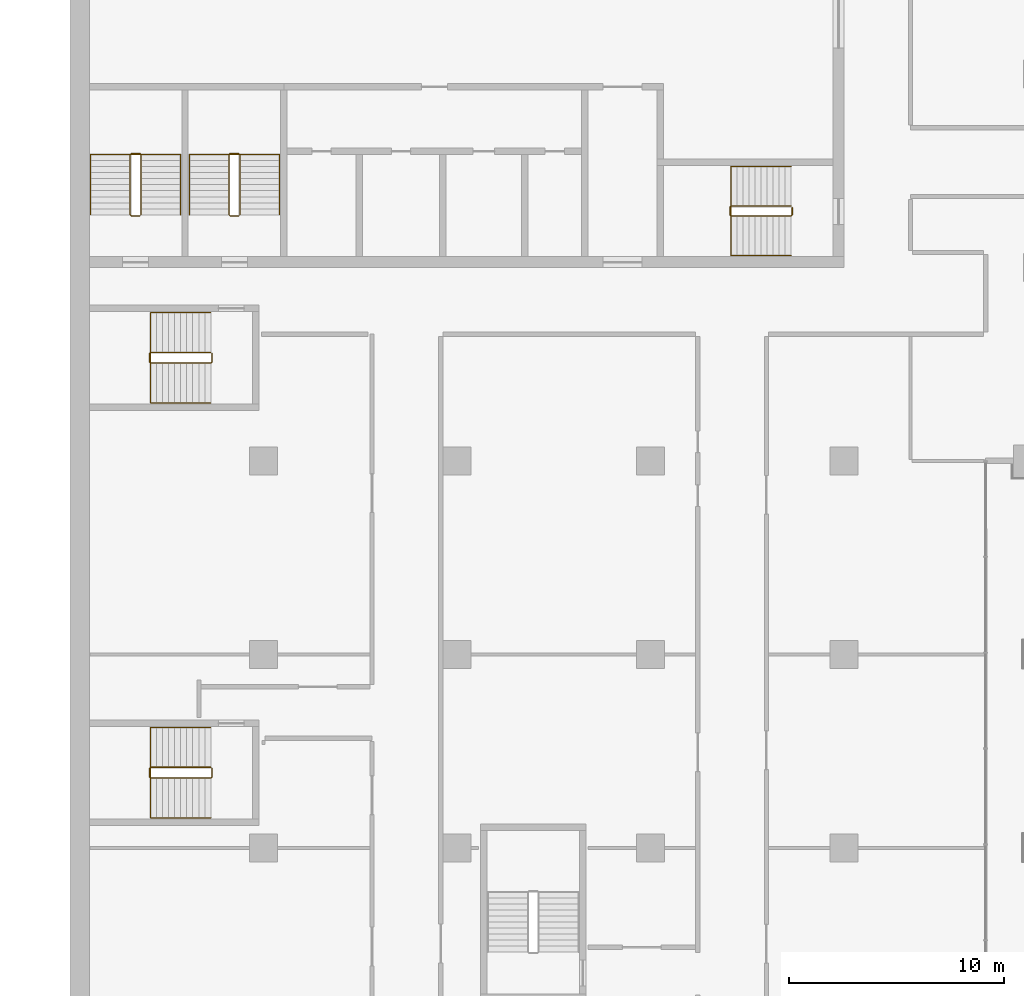
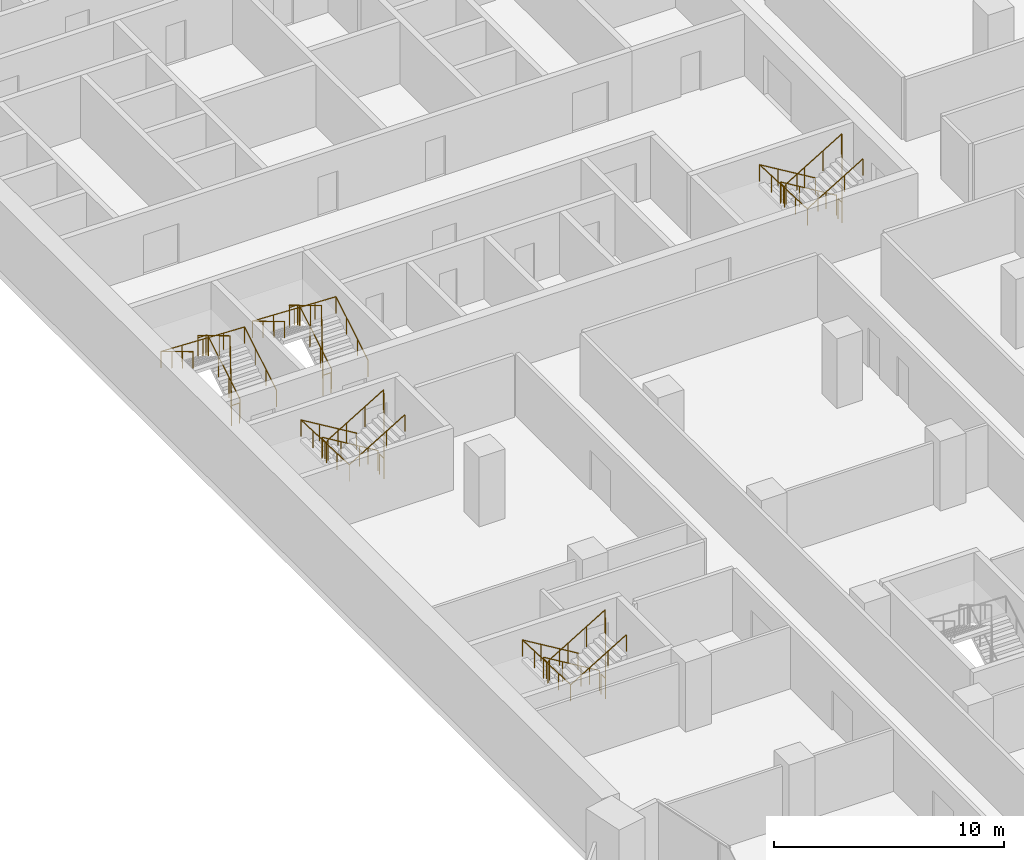
# One storey, part 20 of 22: 10 railings.
"""IFC4 building model written with IfcOpenShell, lengths in metres."""

from ifc_helpers import new_model, si_unit, direction, frame, origin, origin_2d, place, context, subcontext, project, spatial, circle, extrude, material, type_object, element, save


model = new_model("IFC4")

# Units and contexts
model_context = context("Model", 3, precision=1e-05, world=origin(), true_north=direction((0.0, 1.0)))
body_context = subcontext(model_context, "Body", "Model", "MODEL_VIEW")
ifc_project = project(units=[si_unit("LENGTHUNIT", "METRE"), si_unit("AREAUNIT", "SQUARE_METRE"), si_unit("VOLUMEUNIT", "CUBIC_METRE"), si_unit("PLANEANGLEUNIT", "RADIAN"), si_unit("MASSUNIT", "GRAM", prefix="KILO")], contexts=[model_context])

# Site, building, storey
site_placement = place(None, origin())
site = spatial("IfcSite", under=ifc_project, at=site_placement, CompositionType="ELEMENT")
building_placement = place(site_placement, origin())
building = spatial("IfcBuilding", under=site, at=building_placement, Name="Hunhe Ridgeline Campus", CompositionType="ELEMENT")
storey_placement = place(building_placement, frame((0.0, 0.0, 114.39990234375)))
storey = spatial("IfcBuildingStorey", under=building, at=storey_placement, Name="L28", CompositionType="ELEMENT", Elevation=114.39990234375)

# Railings
ifc_material_1 = material(Name="Stainless steel balustrade", Category="steel")
railing_type_1 = type_object("IfcRailingType", Name="Stair guard 1100 stainless", PredefinedType="GUARDRAIL", material=ifc_material_1)
railing_1_placement = place(storey_placement, frame((33.550048828125, 65.85009765625, 0.168212890625)))
element("IfcRailing", 1, at=railing_1_placement, inside=storey, type_object=railing_type_1, Name="L28 stair S2 guard", PredefinedType="GUARDRAIL", context=body_context, shape_type="SweptSolid", body=[
    extrude(circle(Radius=0.02392578125, at=origin_2d()), frame((0.0, 0.0, 1.076171875), z_axis=(-0.857242210791, 0.0, 0.514913383045), x_axis=(0.0, -1.0, 0.0)), (0.0, 0.0, 1.0), 3.266357421875),
    extrude(circle(Radius=0.02392578125, at=origin_2d()), frame((-2.800048828125, 0.0, 2.7578125), z_axis=(-0.707106781187, -0.707106781187, 0.0), x_axis=(0.707106781187, -0.707106781187, 0.0)), (0.0, 0.0, 1.0), 0.07080078125),
    extrude(circle(Radius=0.02392578125, at=origin_2d()), frame((-2.85009765625, -0.050048828125, 2.7578125), z_axis=(0.0, -1.0, 0.0), x_axis=(1.0, 0.0, 0.0)), (0.0, 0.0, 1.0), 0.35009765625),
    extrude(circle(Radius=0.02392578125, at=origin_2d()), frame((-2.85009765625, -0.400146484375, 2.7578125), z_axis=(0.274243871929, -0.274243871929, 0.92172696468), x_axis=(0.707106781187, 0.707106781187, 0.0)), (0.0, 0.0, 1.0), 0.1826171875),
    extrude(circle(Radius=0.02392578125, at=origin_2d()), frame((-2.800048828125, -0.4501953125, 2.92626953125), z_axis=(0.857242210791, 0.0, 0.514913383045), x_axis=(0.0, 1.0, 0.0)), (0.0, 0.0, 1.0), 3.266357421875),
    extrude(circle(Radius=0.02392578125, at=origin_2d()), frame((0.0, -0.4501953125, 4.60791015625), z_axis=(0.013523522368, 0.013523522368, -0.999817097616), x_axis=(-0.707106781187, 0.707106781187, 0.0)), (0.0, 0.0, 1.0), 3.700927734375),
    extrude(circle(Radius=0.02392578125, at=origin_2d()), frame((0.050048828125, -0.400146484375, 0.90771484375), z_axis=(0.0, 1.0, 0.0), x_axis=(-1.0, 0.0, 0.0)), (0.0, 0.0, 1.0), 0.35009765625),
    extrude(circle(Radius=0.02099609375, at=origin_2d()), origin(), (0.0, 0.0, 1.0), 1.052001953125),
    extrude(circle(Radius=0.02099609375, at=origin_2d()), frame((-0.933349609375, 0.0, 0.560546875)), (0.0, 0.0, 1.0), 1.052001953125),
    extrude(circle(Radius=0.02099609375, at=origin_2d()), frame((-1.86669921875, 0.0, 1.121337890625)), (0.0, 0.0, 1.0), 1.052001953125),
    extrude(circle(Radius=0.02099609375, at=origin_2d()), frame((-2.800048828125, 0.0, 1.681884765625)), (0.0, 0.0, 1.0), 1.052001953125),
    extrude(circle(Radius=0.02099609375, at=origin_2d()), frame((-2.85009765625, -0.050048828125, 1.681884765625)), (0.0, 0.0, 1.0), 1.052001953125),
    extrude(circle(Radius=0.02099609375, at=origin_2d()), frame((-2.85009765625, -0.400146484375, 1.681884765625)), (0.0, 0.0, 1.0), 1.052001953125),
    extrude(circle(Radius=0.02099609375, at=origin_2d()), frame((-2.800048828125, -0.4501953125, 1.85009765625)), (0.0, 0.0, 1.0), 1.052001953125),
    extrude(circle(Radius=0.02099609375, at=origin_2d()), frame((-1.86669921875, -0.4501953125, 2.41064453125)), (0.0, 0.0, 1.0), 1.052001953125),
    extrude(circle(Radius=0.02099609375, at=origin_2d()), frame((-0.933349609375, -0.4501953125, 2.971435546875)), (0.0, 0.0, 1.0), 1.052001953125),
    extrude(circle(Radius=0.02099609375, at=origin_2d()), frame((0.0, -0.4501953125, 3.531982421875)), (0.0, 0.0, 1.0), 1.052001953125),
    extrude(circle(Radius=0.02099609375, at=origin_2d()), frame((0.012451171875, -0.437744140625, 2.60693359375)), (0.0, 0.0, 1.0), 1.052001953125),
    extrude(circle(Radius=0.02099609375, at=origin_2d()), frame((0.02490234375, -0.42529296875, 1.681884765625)), (0.0, 0.0, 1.0), 1.052001953125),
    extrude(circle(Radius=0.02099609375, at=origin_2d()), frame((0.03759765625, -0.41259765625, 0.7568359375)), (0.0, 0.0, 1.0), 1.052001953125),
    extrude(circle(Radius=0.02099609375, at=origin_2d()), frame((0.050048828125, -0.400146484375, -0.168212890625)), (0.0, 0.0, 1.0), 1.052001953125),
    extrude(circle(Radius=0.02099609375, at=origin_2d()), frame((0.050048828125, -0.050048828125, -0.168212890625)), (0.0, 0.0, 1.0), 1.052001953125),
])
railing_2_placement = place(storey_placement, frame((3.300048828125, 65.449951171875, 0.168212890625)))
element("IfcRailing", 2, at=railing_2_placement, inside=storey, type_object=railing_type_1, Name="L28 stair S3 guard", PredefinedType="GUARDRAIL", context=body_context, shape_type="SweptSolid", body=[
    extrude(circle(Radius=0.02392578125, at=origin_2d()), frame((0.0, 0.0, 1.076171875), z_axis=(0.0, 0.857242210791, 0.514913383045), x_axis=(-1.0, 0.0, 0.0)), (0.0, 0.0, 1.0), 3.266357421875),
    extrude(circle(Radius=0.02392578125, at=origin_2d()), frame((0.0, 2.800048828125, 2.7578125), z_axis=(-0.707106781187, 0.707106781187, 0.0), x_axis=(-0.707106781187, -0.707106781187, 0.0)), (0.0, 0.0, 1.0), 0.07080078125),
    extrude(circle(Radius=0.02392578125, at=origin_2d()), frame((-0.050048828125, 2.85009765625, 2.7578125), z_axis=(-1.0, 0.0, 0.0), x_axis=(0.0, -1.0, 0.0)), (0.0, 0.0, 1.0), 0.39990234375),
    extrude(circle(Radius=0.02392578125, at=origin_2d()), frame((-0.449951171875, 2.85009765625, 2.7578125), z_axis=(-0.274243871929, -0.274243871929, 0.92172696468), x_axis=(0.707106781187, -0.707106781187, 0.0)), (0.0, 0.0, 1.0), 0.1826171875),
    extrude(circle(Radius=0.02392578125, at=origin_2d()), frame((-0.5, 2.800048828125, 2.92626953125), z_axis=(0.0, -0.857242210791, 0.514913383045), x_axis=(1.0, 0.0, 0.0)), (0.0, 0.0, 1.0), 3.266357421875),
    extrude(circle(Radius=0.02392578125, at=origin_2d()), frame((-0.5, 0.0, 4.60791015625), z_axis=(0.013523522368, -0.013523522368, -0.999817097616), x_axis=(0.707106781187, 0.707106781187, 0.0)), (0.0, 0.0, 1.0), 3.700927734375),
    extrude(circle(Radius=0.02392578125, at=origin_2d()), frame((-0.449951171875, -0.050048828125, 0.90771484375), z_axis=(1.0, 0.0, 0.0), x_axis=(0.0, 1.0, 0.0)), (0.0, 0.0, 1.0), 0.39990234375),
    extrude(circle(Radius=0.02099609375, at=origin_2d()), origin(), (0.0, 0.0, 1.0), 1.052001953125),
    extrude(circle(Radius=0.02099609375, at=origin_2d()), frame((0.0, 0.933349609375, 0.560546875)), (0.0, 0.0, 1.0), 1.052001953125),
    extrude(circle(Radius=0.02099609375, at=origin_2d()), frame((0.0, 1.86669921875, 1.121337890625)), (0.0, 0.0, 1.0), 1.052001953125),
    extrude(circle(Radius=0.02099609375, at=origin_2d()), frame((0.0, 2.800048828125, 1.681884765625)), (0.0, 0.0, 1.0), 1.052001953125),
    extrude(circle(Radius=0.02099609375, at=origin_2d()), frame((-0.050048828125, 2.85009765625, 1.681884765625)), (0.0, 0.0, 1.0), 1.052001953125),
    extrude(circle(Radius=0.02099609375, at=origin_2d()), frame((-0.449951171875, 2.85009765625, 1.681884765625)), (0.0, 0.0, 1.0), 1.052001953125),
    extrude(circle(Radius=0.02099609375, at=origin_2d()), frame((-0.5, 2.800048828125, 1.85009765625)), (0.0, 0.0, 1.0), 1.052001953125),
    extrude(circle(Radius=0.02099609375, at=origin_2d()), frame((-0.5, 1.86669921875, 2.41064453125)), (0.0, 0.0, 1.0), 1.052001953125),
    extrude(circle(Radius=0.02099609375, at=origin_2d()), frame((-0.5, 0.933349609375, 2.971435546875)), (0.0, 0.0, 1.0), 1.052001953125),
    extrude(circle(Radius=0.02099609375, at=origin_2d()), frame((-0.5, 0.0, 3.531982421875)), (0.0, 0.0, 1.0), 1.052001953125),
    extrude(circle(Radius=0.02099609375, at=origin_2d()), frame((-0.487548828125, -0.012451171875, 2.60693359375)), (0.0, 0.0, 1.0), 1.052001953125),
    extrude(circle(Radius=0.02099609375, at=origin_2d()), frame((-0.47509765625, -0.02490234375, 1.681884765625)), (0.0, 0.0, 1.0), 1.052001953125),
    extrude(circle(Radius=0.02099609375, at=origin_2d()), frame((-0.46240234375, -0.03759765625, 0.7568359375)), (0.0, 0.0, 1.0), 1.052001953125),
    extrude(circle(Radius=0.02099609375, at=origin_2d()), frame((-0.449951171875, -0.050048828125, -0.168212890625)), (0.0, 0.0, 1.0), 1.052001953125),
    extrude(circle(Radius=0.02099609375, at=origin_2d()), frame((-0.050048828125, -0.050048828125, -0.168212890625)), (0.0, 0.0, 1.0), 1.052001953125),
])
railing_3_placement = place(storey_placement, frame((7.89990234375, 65.449951171875, 0.168212890625)))
element("IfcRailing", 3, at=railing_3_placement, inside=storey, type_object=railing_type_1, Name="L28 stair S4 guard", PredefinedType="GUARDRAIL", context=body_context, shape_type="SweptSolid", body=[
    extrude(circle(Radius=0.02392578125, at=origin_2d()), frame((0.0, 0.0, 1.076171875), z_axis=(0.0, 0.857242210791, 0.514913383045), x_axis=(-1.0, 0.0, 0.0)), (0.0, 0.0, 1.0), 3.266357421875),
    extrude(circle(Radius=0.02392578125, at=origin_2d()), frame((0.0, 2.800048828125, 2.7578125), z_axis=(-0.705375805398, 0.708833529934, 0.0), x_axis=(-0.708833529934, -0.705375805398, 0.0)), (0.0, 0.0, 1.0), 0.070556640625),
    extrude(circle(Radius=0.02392578125, at=origin_2d()), frame((-0.0498046875, 2.85009765625, 2.7578125), z_axis=(-1.0, 0.0, 0.0), x_axis=(0.0, -1.0, 0.0)), (0.0, 0.0, 1.0), 0.400146484375),
    extrude(circle(Radius=0.02392578125, at=origin_2d()), frame((-0.449951171875, 2.85009765625, 2.7578125), z_axis=(-0.274243871929, -0.274243871929, 0.92172696468), x_axis=(0.707106781187, -0.707106781187, 0.0)), (0.0, 0.0, 1.0), 0.1826171875),
    extrude(circle(Radius=0.02392578125, at=origin_2d()), frame((-0.5, 2.800048828125, 2.92626953125), z_axis=(0.0, -0.857242210791, 0.514913383045), x_axis=(1.0, 0.0, 0.0)), (0.0, 0.0, 1.0), 3.266357421875),
    extrude(circle(Radius=0.02392578125, at=origin_2d()), frame((-0.5, 0.0, 4.60791015625), z_axis=(0.013523522368, -0.013523522368, -0.999817097616), x_axis=(0.707106781187, 0.707106781187, 0.0)), (0.0, 0.0, 1.0), 3.700927734375),
    extrude(circle(Radius=0.02392578125, at=origin_2d()), frame((-0.449951171875, -0.050048828125, 0.90771484375), z_axis=(1.0, 0.0, 0.0), x_axis=(0.0, 1.0, 0.0)), (0.0, 0.0, 1.0), 0.400146484375),
    extrude(circle(Radius=0.02099609375, at=origin_2d()), origin(), (0.0, 0.0, 1.0), 1.052001953125),
    extrude(circle(Radius=0.02099609375, at=origin_2d()), frame((0.0, 0.933349609375, 0.560546875)), (0.0, 0.0, 1.0), 1.052001953125),
    extrude(circle(Radius=0.02099609375, at=origin_2d()), frame((0.0, 1.86669921875, 1.121337890625)), (0.0, 0.0, 1.0), 1.052001953125),
    extrude(circle(Radius=0.02099609375, at=origin_2d()), frame((0.0, 2.800048828125, 1.681884765625)), (0.0, 0.0, 1.0), 1.052001953125),
    extrude(circle(Radius=0.02099609375, at=origin_2d()), frame((-0.0498046875, 2.85009765625, 1.681884765625)), (0.0, 0.0, 1.0), 1.052001953125),
    extrude(circle(Radius=0.02099609375, at=origin_2d()), frame((-0.449951171875, 2.85009765625, 1.681884765625)), (0.0, 0.0, 1.0), 1.052001953125),
    extrude(circle(Radius=0.02099609375, at=origin_2d()), frame((-0.5, 2.800048828125, 1.85009765625)), (0.0, 0.0, 1.0), 1.052001953125),
    extrude(circle(Radius=0.02099609375, at=origin_2d()), frame((-0.5, 1.86669921875, 2.41064453125)), (0.0, 0.0, 1.0), 1.052001953125),
    extrude(circle(Radius=0.02099609375, at=origin_2d()), frame((-0.5, 0.933349609375, 2.971435546875)), (0.0, 0.0, 1.0), 1.052001953125),
    extrude(circle(Radius=0.02099609375, at=origin_2d()), frame((-0.5, 0.0, 3.531982421875)), (0.0, 0.0, 1.0), 1.052001953125),
    extrude(circle(Radius=0.02099609375, at=origin_2d()), frame((-0.487548828125, -0.012451171875, 2.60693359375)), (0.0, 0.0, 1.0), 1.052001953125),
    extrude(circle(Radius=0.02099609375, at=origin_2d()), frame((-0.47509765625, -0.02490234375, 1.681884765625)), (0.0, 0.0, 1.0), 1.052001953125),
    extrude(circle(Radius=0.02099609375, at=origin_2d()), frame((-0.46240234375, -0.03759765625, 0.7568359375)), (0.0, 0.0, 1.0), 1.052001953125),
    extrude(circle(Radius=0.02099609375, at=origin_2d()), frame((-0.449951171875, -0.050048828125, -0.168212890625)), (0.0, 0.0, 1.0), 1.052001953125),
    extrude(circle(Radius=0.02099609375, at=origin_2d()), frame((-0.0498046875, -0.050048828125, -0.168212890625)), (0.0, 0.0, 1.0), 1.052001953125),
])
railing_4_placement = place(storey_placement, frame((6.550048828125, 39.75, 0.168212890625)))
element("IfcRailing", 4, at=railing_4_placement, inside=storey, type_object=railing_type_1, Name="L28 stair W1 guard", PredefinedType="GUARDRAIL", context=body_context, shape_type="SweptSolid", body=[
    extrude(circle(Radius=0.02392578125, at=origin_2d()), frame((0.0, 0.0, 1.076171875), z_axis=(-0.857242210791, 0.0, 0.514913383045), x_axis=(0.0, -1.0, 0.0)), (0.0, 0.0, 1.0), 3.266357421875),
    extrude(circle(Radius=0.02392578125, at=origin_2d()), frame((-2.800048828125, 0.0, 2.7578125), z_axis=(-0.707106781187, -0.707106781187, 0.0), x_axis=(0.707106781187, -0.707106781187, 0.0)), (0.0, 0.0, 1.0), 0.07080078125),
    extrude(circle(Radius=0.02392578125, at=origin_2d()), frame((-2.85009765625, -0.050048828125, 2.7578125), z_axis=(0.0, -1.0, 0.0), x_axis=(1.0, 0.0, 0.0)), (0.0, 0.0, 1.0), 0.39990234375),
    extrude(circle(Radius=0.02392578125, at=origin_2d()), frame((-2.85009765625, -0.449951171875, 2.7578125), z_axis=(0.274243871929, -0.274243871929, 0.92172696468), x_axis=(0.707106781187, 0.707106781187, 0.0)), (0.0, 0.0, 1.0), 0.1826171875),
    extrude(circle(Radius=0.02392578125, at=origin_2d()), frame((-2.800048828125, -0.5, 2.92626953125), z_axis=(0.857242210791, 0.0, 0.514913383045), x_axis=(0.0, 1.0, 0.0)), (0.0, 0.0, 1.0), 3.266357421875),
    extrude(circle(Radius=0.02392578125, at=origin_2d()), frame((0.0, -0.5, 4.60791015625), z_axis=(0.013523522368, 0.013523522368, -0.999817097616), x_axis=(-0.707106781187, 0.707106781187, 0.0)), (0.0, 0.0, 1.0), 3.700927734375),
    extrude(circle(Radius=0.02392578125, at=origin_2d()), frame((0.050048828125, -0.449951171875, 0.90771484375), z_axis=(0.0, 1.0, 0.0), x_axis=(-1.0, 0.0, 0.0)), (0.0, 0.0, 1.0), 0.39990234375),
    extrude(circle(Radius=0.02099609375, at=origin_2d()), origin(), (0.0, 0.0, 1.0), 1.052001953125),
    extrude(circle(Radius=0.02099609375, at=origin_2d()), frame((-0.933349609375, 0.0, 0.560546875)), (0.0, 0.0, 1.0), 1.052001953125),
    extrude(circle(Radius=0.02099609375, at=origin_2d()), frame((-1.86669921875, 0.0, 1.121337890625)), (0.0, 0.0, 1.0), 1.052001953125),
    extrude(circle(Radius=0.02099609375, at=origin_2d()), frame((-2.800048828125, 0.0, 1.681884765625)), (0.0, 0.0, 1.0), 1.052001953125),
    extrude(circle(Radius=0.02099609375, at=origin_2d()), frame((-2.85009765625, -0.050048828125, 1.681884765625)), (0.0, 0.0, 1.0), 1.052001953125),
    extrude(circle(Radius=0.02099609375, at=origin_2d()), frame((-2.85009765625, -0.449951171875, 1.681884765625)), (0.0, 0.0, 1.0), 1.052001953125),
    extrude(circle(Radius=0.02099609375, at=origin_2d()), frame((-2.800048828125, -0.5, 1.85009765625)), (0.0, 0.0, 1.0), 1.052001953125),
    extrude(circle(Radius=0.02099609375, at=origin_2d()), frame((-1.86669921875, -0.5, 2.41064453125)), (0.0, 0.0, 1.0), 1.052001953125),
    extrude(circle(Radius=0.02099609375, at=origin_2d()), frame((-0.933349609375, -0.5, 2.971435546875)), (0.0, 0.0, 1.0), 1.052001953125),
    extrude(circle(Radius=0.02099609375, at=origin_2d()), frame((0.0, -0.5, 3.531982421875)), (0.0, 0.0, 1.0), 1.052001953125),
    extrude(circle(Radius=0.02099609375, at=origin_2d()), frame((0.012451171875, -0.487548828125, 2.60693359375)), (0.0, 0.0, 1.0), 1.052001953125),
    extrude(circle(Radius=0.02099609375, at=origin_2d()), frame((0.02490234375, -0.47509765625, 1.681884765625)), (0.0, 0.0, 1.0), 1.052001953125),
    extrude(circle(Radius=0.02099609375, at=origin_2d()), frame((0.03759765625, -0.46240234375, 0.7568359375)), (0.0, 0.0, 1.0), 1.052001953125),
    extrude(circle(Radius=0.02099609375, at=origin_2d()), frame((0.050048828125, -0.449951171875, -0.168212890625)), (0.0, 0.0, 1.0), 1.052001953125),
    extrude(circle(Radius=0.02099609375, at=origin_2d()), frame((0.050048828125, -0.050048828125, -0.168212890625)), (0.0, 0.0, 1.0), 1.052001953125),
])
railing_5_placement = place(storey_placement, frame((6.550048828125, 59.050048828125, 0.168212890625)))
element("IfcRailing", 5, at=railing_5_placement, inside=storey, type_object=railing_type_1, Name="L28 stair W2 guard", PredefinedType="GUARDRAIL", context=body_context, shape_type="SweptSolid", body=[
    extrude(circle(Radius=0.02392578125, at=origin_2d()), frame((0.0, 0.0, 1.076171875), z_axis=(-0.857242210791, 0.0, 0.514913383045), x_axis=(0.0, -1.0, 0.0)), (0.0, 0.0, 1.0), 3.266357421875),
    extrude(circle(Radius=0.02392578125, at=origin_2d()), frame((-2.800048828125, 0.0, 2.7578125), z_axis=(-0.707106781187, -0.707106781187, 0.0), x_axis=(0.707106781187, -0.707106781187, 0.0)), (0.0, 0.0, 1.0), 0.07080078125),
    extrude(circle(Radius=0.02392578125, at=origin_2d()), frame((-2.85009765625, -0.050048828125, 2.7578125), z_axis=(0.0, -1.0, 0.0), x_axis=(1.0, 0.0, 0.0)), (0.0, 0.0, 1.0), 0.39990234375),
    extrude(circle(Radius=0.02392578125, at=origin_2d()), frame((-2.85009765625, -0.449951171875, 2.7578125), z_axis=(0.274243871929, -0.274243871929, 0.92172696468), x_axis=(0.707106781187, 0.707106781187, 0.0)), (0.0, 0.0, 1.0), 0.1826171875),
    extrude(circle(Radius=0.02392578125, at=origin_2d()), frame((-2.800048828125, -0.5, 2.92626953125), z_axis=(0.857242210791, 0.0, 0.514913383045), x_axis=(0.0, 1.0, 0.0)), (0.0, 0.0, 1.0), 3.266357421875),
    extrude(circle(Radius=0.02392578125, at=origin_2d()), frame((0.0, -0.5, 4.60791015625), z_axis=(0.013523522368, 0.013523522368, -0.999817097616), x_axis=(-0.707106781187, 0.707106781187, 0.0)), (0.0, 0.0, 1.0), 3.700927734375),
    extrude(circle(Radius=0.02392578125, at=origin_2d()), frame((0.050048828125, -0.449951171875, 0.90771484375), z_axis=(0.0, 1.0, 0.0), x_axis=(-1.0, 0.0, 0.0)), (0.0, 0.0, 1.0), 0.39990234375),
    extrude(circle(Radius=0.02099609375, at=origin_2d()), origin(), (0.0, 0.0, 1.0), 1.052001953125),
    extrude(circle(Radius=0.02099609375, at=origin_2d()), frame((-0.933349609375, 0.0, 0.560546875)), (0.0, 0.0, 1.0), 1.052001953125),
    extrude(circle(Radius=0.02099609375, at=origin_2d()), frame((-1.86669921875, 0.0, 1.121337890625)), (0.0, 0.0, 1.0), 1.052001953125),
    extrude(circle(Radius=0.02099609375, at=origin_2d()), frame((-2.800048828125, 0.0, 1.681884765625)), (0.0, 0.0, 1.0), 1.052001953125),
    extrude(circle(Radius=0.02099609375, at=origin_2d()), frame((-2.85009765625, -0.050048828125, 1.681884765625)), (0.0, 0.0, 1.0), 1.052001953125),
    extrude(circle(Radius=0.02099609375, at=origin_2d()), frame((-2.85009765625, -0.449951171875, 1.681884765625)), (0.0, 0.0, 1.0), 1.052001953125),
    extrude(circle(Radius=0.02099609375, at=origin_2d()), frame((-2.800048828125, -0.5, 1.85009765625)), (0.0, 0.0, 1.0), 1.052001953125),
    extrude(circle(Radius=0.02099609375, at=origin_2d()), frame((-1.86669921875, -0.5, 2.41064453125)), (0.0, 0.0, 1.0), 1.052001953125),
    extrude(circle(Radius=0.02099609375, at=origin_2d()), frame((-0.933349609375, -0.5, 2.971435546875)), (0.0, 0.0, 1.0), 1.052001953125),
    extrude(circle(Radius=0.02099609375, at=origin_2d()), frame((0.0, -0.5, 3.531982421875)), (0.0, 0.0, 1.0), 1.052001953125),
    extrude(circle(Radius=0.02099609375, at=origin_2d()), frame((0.012451171875, -0.487548828125, 2.60693359375)), (0.0, 0.0, 1.0), 1.052001953125),
    extrude(circle(Radius=0.02099609375, at=origin_2d()), frame((0.02490234375, -0.47509765625, 1.681884765625)), (0.0, 0.0, 1.0), 1.052001953125),
    extrude(circle(Radius=0.02099609375, at=origin_2d()), frame((0.03759765625, -0.46240234375, 0.7568359375)), (0.0, 0.0, 1.0), 1.052001953125),
    extrude(circle(Radius=0.02099609375, at=origin_2d()), frame((0.050048828125, -0.449951171875, -0.168212890625)), (0.0, 0.0, 1.0), 1.052001953125),
    extrude(circle(Radius=0.02099609375, at=origin_2d()), frame((0.050048828125, -0.050048828125, -0.168212890625)), (0.0, 0.0, 1.0), 1.052001953125),
])
ifc_material_2 = material(Name="Stainless steel handrail", Category="steel")
railing_type_2 = type_object("IfcRailingType", Name="Stair handrail 900 stainless", PredefinedType="HANDRAIL", material=ifc_material_2)
railing_6_placement = place(storey_placement, frame((33.550048828125, 67.699951171875, 0.168212890625)))
element("IfcRailing", 6, at=railing_6_placement, inside=storey, type_object=railing_type_2, Name="L28 stair S2 handrail", PredefinedType="HANDRAIL", context=body_context, shape_type="SweptSolid", body=[
    extrude(circle(Radius=0.02392578125, at=origin_2d()), frame((0.0, 0.0, 0.8759765625), z_axis=(-0.857242210791, 0.0, 0.514913383045), x_axis=(0.0, -1.0, 0.0)), (0.0, 0.0, 1.0), 3.266357421875),
    extrude(circle(Radius=0.02392578125, at=origin_2d()), frame((-2.800048828125, 0.0, 2.5576171875), z_axis=(0.0, -0.99917950104, 0.040500922239), x_axis=(1.0, 0.0, 0.0)), (0.0, 0.0, 1.0), 4.1533203125),
    extrude(circle(Radius=0.02392578125, at=origin_2d()), frame((-2.800048828125, -4.14990234375, 2.72607421875), z_axis=(0.857242210791, 0.0, 0.514913383045), x_axis=(0.0, 1.0, 0.0)), (0.0, 0.0, 1.0), 3.266357421875),
    extrude(circle(Radius=0.02099609375, at=origin_2d()), origin(), (0.0, 0.0, 1.0), 0.851806640625),
    extrude(circle(Radius=0.02099609375, at=origin_2d()), frame((-0.933349609375, 0.0, 0.560546875)), (0.0, 0.0, 1.0), 0.851806640625),
    extrude(circle(Radius=0.02099609375, at=origin_2d()), frame((-1.86669921875, 0.0, 1.121337890625)), (0.0, 0.0, 1.0), 0.851806640625),
    extrude(circle(Radius=0.02099609375, at=origin_2d()), frame((-2.800048828125, 0.0, 1.681884765625)), (0.0, 0.0, 1.0), 0.851806640625),
    extrude(circle(Radius=0.02099609375, at=origin_2d()), frame((-2.800048828125, -1.03759765625, 1.723876953125)), (0.0, 0.0, 1.0), 0.851806640625),
    extrude(circle(Radius=0.02099609375, at=origin_2d()), frame((-2.800048828125, -2.074951171875, 1.76611328125)), (0.0, 0.0, 1.0), 0.851806640625),
    extrude(circle(Radius=0.02099609375, at=origin_2d()), frame((-2.800048828125, -3.1123046875, 1.80810546875)), (0.0, 0.0, 1.0), 0.851806640625),
    extrude(circle(Radius=0.02099609375, at=origin_2d()), frame((-2.800048828125, -4.14990234375, 1.85009765625)), (0.0, 0.0, 1.0), 0.851806640625),
    extrude(circle(Radius=0.02099609375, at=origin_2d()), frame((-1.86669921875, -4.14990234375, 2.41064453125)), (0.0, 0.0, 1.0), 0.851806640625),
    extrude(circle(Radius=0.02099609375, at=origin_2d()), frame((-0.933349609375, -4.14990234375, 2.971435546875)), (0.0, 0.0, 1.0), 0.851806640625),
    extrude(circle(Radius=0.02099609375, at=origin_2d()), frame((0.0, -4.14990234375, 3.531982421875)), (0.0, 0.0, 1.0), 0.851806640625),
])
railing_7_placement = place(storey_placement, frame((5.14990234375, 65.449951171875, 0.168212890625)))
element("IfcRailing", 7, at=railing_7_placement, inside=storey, type_object=railing_type_2, Name="L28 stair S3 handrail", PredefinedType="HANDRAIL", context=body_context, shape_type="SweptSolid", body=[
    extrude(circle(Radius=0.02392578125, at=origin_2d()), frame((0.0, 0.0, 0.8759765625), z_axis=(0.0, 0.857242210791, 0.514913383045), x_axis=(-1.0, 0.0, 0.0)), (0.0, 0.0, 1.0), 3.266357421875),
    extrude(circle(Radius=0.02392578125, at=origin_2d()), frame((0.0, 2.800048828125, 2.5576171875), z_axis=(-0.999198916169, 0.0, 0.040019069537), x_axis=(0.0, -1.0, 0.0)), (0.0, 0.0, 1.0), 4.203369140625),
    extrude(circle(Radius=0.02392578125, at=origin_2d()), frame((-4.199951171875, 2.800048828125, 2.72607421875), z_axis=(0.0, -0.857242210791, 0.514913383045), x_axis=(1.0, 0.0, 0.0)), (0.0, 0.0, 1.0), 3.266357421875),
    extrude(circle(Radius=0.02099609375, at=origin_2d()), origin(), (0.0, 0.0, 1.0), 0.851806640625),
    extrude(circle(Radius=0.02099609375, at=origin_2d()), frame((0.0, 0.933349609375, 0.560546875)), (0.0, 0.0, 1.0), 0.851806640625),
    extrude(circle(Radius=0.02099609375, at=origin_2d()), frame((0.0, 1.86669921875, 1.121337890625)), (0.0, 0.0, 1.0), 0.851806640625),
    extrude(circle(Radius=0.02099609375, at=origin_2d()), frame((0.0, 2.800048828125, 1.681884765625)), (0.0, 0.0, 1.0), 0.851806640625),
    extrude(circle(Radius=0.02099609375, at=origin_2d()), frame((-1.050048828125, 2.800048828125, 1.723876953125)), (0.0, 0.0, 1.0), 0.851806640625),
    extrude(circle(Radius=0.02099609375, at=origin_2d()), frame((-2.10009765625, 2.800048828125, 1.76611328125)), (0.0, 0.0, 1.0), 0.851806640625),
    extrude(circle(Radius=0.02099609375, at=origin_2d()), frame((-3.14990234375, 2.800048828125, 1.80810546875)), (0.0, 0.0, 1.0), 0.851806640625),
    extrude(circle(Radius=0.02099609375, at=origin_2d()), frame((-4.199951171875, 2.800048828125, 1.85009765625)), (0.0, 0.0, 1.0), 0.851806640625),
    extrude(circle(Radius=0.02099609375, at=origin_2d()), frame((-4.199951171875, 1.86669921875, 2.41064453125)), (0.0, 0.0, 1.0), 0.851806640625),
    extrude(circle(Radius=0.02099609375, at=origin_2d()), frame((-4.199951171875, 0.933349609375, 2.971435546875)), (0.0, 0.0, 1.0), 0.851806640625),
    extrude(circle(Radius=0.02099609375, at=origin_2d()), frame((-4.199951171875, 0.0, 3.531982421875)), (0.0, 0.0, 1.0), 0.851806640625),
])
railing_8_placement = place(storey_placement, frame((9.75, 65.449951171875, 0.168212890625)))
element("IfcRailing", 8, at=railing_8_placement, inside=storey, type_object=railing_type_2, Name="L28 stair S4 handrail", PredefinedType="HANDRAIL", context=body_context, shape_type="SweptSolid", body=[
    extrude(circle(Radius=0.02392578125, at=origin_2d()), frame((0.0, 0.0, 0.8759765625), z_axis=(0.0, 0.857242210791, 0.514913383045), x_axis=(-1.0, 0.0, 0.0)), (0.0, 0.0, 1.0), 3.266357421875),
    extrude(circle(Radius=0.02392578125, at=origin_2d()), frame((0.0, 2.800048828125, 2.5576171875), z_axis=(-0.999198916169, 0.0, 0.040019069537), x_axis=(0.0, -1.0, 0.0)), (0.0, 0.0, 1.0), 4.203369140625),
    extrude(circle(Radius=0.02392578125, at=origin_2d()), frame((-4.199951171875, 2.800048828125, 2.72607421875), z_axis=(0.0, -0.857242210791, 0.514913383045), x_axis=(1.0, 0.0, 0.0)), (0.0, 0.0, 1.0), 3.266357421875),
    extrude(circle(Radius=0.02099609375, at=origin_2d()), origin(), (0.0, 0.0, 1.0), 0.851806640625),
    extrude(circle(Radius=0.02099609375, at=origin_2d()), frame((0.0, 0.933349609375, 0.560546875)), (0.0, 0.0, 1.0), 0.851806640625),
    extrude(circle(Radius=0.02099609375, at=origin_2d()), frame((0.0, 1.86669921875, 1.121337890625)), (0.0, 0.0, 1.0), 0.851806640625),
    extrude(circle(Radius=0.02099609375, at=origin_2d()), frame((0.0, 2.800048828125, 1.681884765625)), (0.0, 0.0, 1.0), 0.851806640625),
    extrude(circle(Radius=0.02099609375, at=origin_2d()), frame((-1.050048828125, 2.800048828125, 1.723876953125)), (0.0, 0.0, 1.0), 0.851806640625),
    extrude(circle(Radius=0.02099609375, at=origin_2d()), frame((-2.10009765625, 2.800048828125, 1.76611328125)), (0.0, 0.0, 1.0), 0.851806640625),
    extrude(circle(Radius=0.02099609375, at=origin_2d()), frame((-3.14990234375, 2.800048828125, 1.80810546875)), (0.0, 0.0, 1.0), 0.851806640625),
    extrude(circle(Radius=0.02099609375, at=origin_2d()), frame((-4.199951171875, 2.800048828125, 1.85009765625)), (0.0, 0.0, 1.0), 0.851806640625),
    extrude(circle(Radius=0.02099609375, at=origin_2d()), frame((-4.199951171875, 1.86669921875, 2.41064453125)), (0.0, 0.0, 1.0), 0.851806640625),
    extrude(circle(Radius=0.02099609375, at=origin_2d()), frame((-4.199951171875, 0.933349609375, 2.971435546875)), (0.0, 0.0, 1.0), 0.851806640625),
    extrude(circle(Radius=0.02099609375, at=origin_2d()), frame((-4.199951171875, 0.0, 3.531982421875)), (0.0, 0.0, 1.0), 0.851806640625),
])
railing_9_placement = place(storey_placement, frame((6.550048828125, 41.60009765625, 0.168212890625)))
element("IfcRailing", 9, at=railing_9_placement, inside=storey, type_object=railing_type_2, Name="L28 stair W1 handrail", PredefinedType="HANDRAIL", context=body_context, shape_type="SweptSolid", body=[
    extrude(circle(Radius=0.02392578125, at=origin_2d()), frame((0.0, 0.0, 0.8759765625), z_axis=(-0.857242210791, 0.0, 0.514913383045), x_axis=(0.0, -1.0, 0.0)), (0.0, 0.0, 1.0), 3.266357421875),
    extrude(circle(Radius=0.02392578125, at=origin_2d()), frame((-2.800048828125, 0.0, 2.5576171875), z_axis=(0.0, -0.999199009182, 0.040016747113), x_axis=(1.0, 0.0, 0.0)), (0.0, 0.0, 1.0), 4.20361328125),
    extrude(circle(Radius=0.02392578125, at=origin_2d()), frame((-2.800048828125, -4.2001953125, 2.72607421875), z_axis=(0.857242210791, 0.0, 0.514913383045), x_axis=(0.0, 1.0, 0.0)), (0.0, 0.0, 1.0), 3.266357421875),
    extrude(circle(Radius=0.02099609375, at=origin_2d()), origin(), (0.0, 0.0, 1.0), 0.851806640625),
    extrude(circle(Radius=0.02099609375, at=origin_2d()), frame((-0.933349609375, 0.0, 0.560546875)), (0.0, 0.0, 1.0), 0.851806640625),
    extrude(circle(Radius=0.02099609375, at=origin_2d()), frame((-1.86669921875, 0.0, 1.121337890625)), (0.0, 0.0, 1.0), 0.851806640625),
    extrude(circle(Radius=0.02099609375, at=origin_2d()), frame((-2.800048828125, 0.0, 1.681884765625)), (0.0, 0.0, 1.0), 0.851806640625),
    extrude(circle(Radius=0.02099609375, at=origin_2d()), frame((-2.800048828125, -1.050048828125, 1.723876953125)), (0.0, 0.0, 1.0), 0.851806640625),
    extrude(circle(Radius=0.02099609375, at=origin_2d()), frame((-2.800048828125, -2.10009765625, 1.76611328125)), (0.0, 0.0, 1.0), 0.851806640625),
    extrude(circle(Radius=0.02099609375, at=origin_2d()), frame((-2.800048828125, -3.150146484375, 1.80810546875)), (0.0, 0.0, 1.0), 0.851806640625),
    extrude(circle(Radius=0.02099609375, at=origin_2d()), frame((-2.800048828125, -4.2001953125, 1.85009765625)), (0.0, 0.0, 1.0), 0.851806640625),
    extrude(circle(Radius=0.02099609375, at=origin_2d()), frame((-1.86669921875, -4.2001953125, 2.41064453125)), (0.0, 0.0, 1.0), 0.851806640625),
    extrude(circle(Radius=0.02099609375, at=origin_2d()), frame((-0.933349609375, -4.2001953125, 2.971435546875)), (0.0, 0.0, 1.0), 0.851806640625),
    extrude(circle(Radius=0.02099609375, at=origin_2d()), frame((0.0, -4.2001953125, 3.531982421875)), (0.0, 0.0, 1.0), 0.851806640625),
])
railing_10_placement = place(storey_placement, frame((6.550048828125, 60.89990234375, 0.168212890625)))
element("IfcRailing", 10, at=railing_10_placement, inside=storey, type_object=railing_type_2, Name="L28 stair W2 handrail", PredefinedType="HANDRAIL", context=body_context, shape_type="SweptSolid", body=[
    extrude(circle(Radius=0.02392578125, at=origin_2d()), frame((0.0, 0.0, 0.8759765625), z_axis=(-0.857242210791, 0.0, 0.514913383045), x_axis=(0.0, -1.0, 0.0)), (0.0, 0.0, 1.0), 3.266357421875),
    extrude(circle(Radius=0.02392578125, at=origin_2d()), frame((-2.800048828125, 0.0, 2.5576171875), z_axis=(0.0, -0.999198916169, 0.040019069537), x_axis=(1.0, 0.0, 0.0)), (0.0, 0.0, 1.0), 4.203369140625),
    extrude(circle(Radius=0.02392578125, at=origin_2d()), frame((-2.800048828125, -4.199951171875, 2.72607421875), z_axis=(0.857242210791, 0.0, 0.514913383045), x_axis=(0.0, 1.0, 0.0)), (0.0, 0.0, 1.0), 3.266357421875),
    extrude(circle(Radius=0.02099609375, at=origin_2d()), origin(), (0.0, 0.0, 1.0), 0.851806640625),
    extrude(circle(Radius=0.02099609375, at=origin_2d()), frame((-0.933349609375, 0.0, 0.560546875)), (0.0, 0.0, 1.0), 0.851806640625),
    extrude(circle(Radius=0.02099609375, at=origin_2d()), frame((-1.86669921875, 0.0, 1.121337890625)), (0.0, 0.0, 1.0), 0.851806640625),
    extrude(circle(Radius=0.02099609375, at=origin_2d()), frame((-2.800048828125, 0.0, 1.681884765625)), (0.0, 0.0, 1.0), 0.851806640625),
    extrude(circle(Radius=0.02099609375, at=origin_2d()), frame((-2.800048828125, -1.050048828125, 1.723876953125)), (0.0, 0.0, 1.0), 0.851806640625),
    extrude(circle(Radius=0.02099609375, at=origin_2d()), frame((-2.800048828125, -2.10009765625, 1.76611328125)), (0.0, 0.0, 1.0), 0.851806640625),
    extrude(circle(Radius=0.02099609375, at=origin_2d()), frame((-2.800048828125, -3.14990234375, 1.80810546875)), (0.0, 0.0, 1.0), 0.851806640625),
    extrude(circle(Radius=0.02099609375, at=origin_2d()), frame((-2.800048828125, -4.199951171875, 1.85009765625)), (0.0, 0.0, 1.0), 0.851806640625),
    extrude(circle(Radius=0.02099609375, at=origin_2d()), frame((-1.86669921875, -4.199951171875, 2.41064453125)), (0.0, 0.0, 1.0), 0.851806640625),
    extrude(circle(Radius=0.02099609375, at=origin_2d()), frame((-0.933349609375, -4.199951171875, 2.971435546875)), (0.0, 0.0, 1.0), 0.851806640625),
    extrude(circle(Radius=0.02099609375, at=origin_2d()), frame((0.0, -4.199951171875, 3.531982421875)), (0.0, 0.0, 1.0), 0.851806640625),
])

save(model, "model.ifc")
